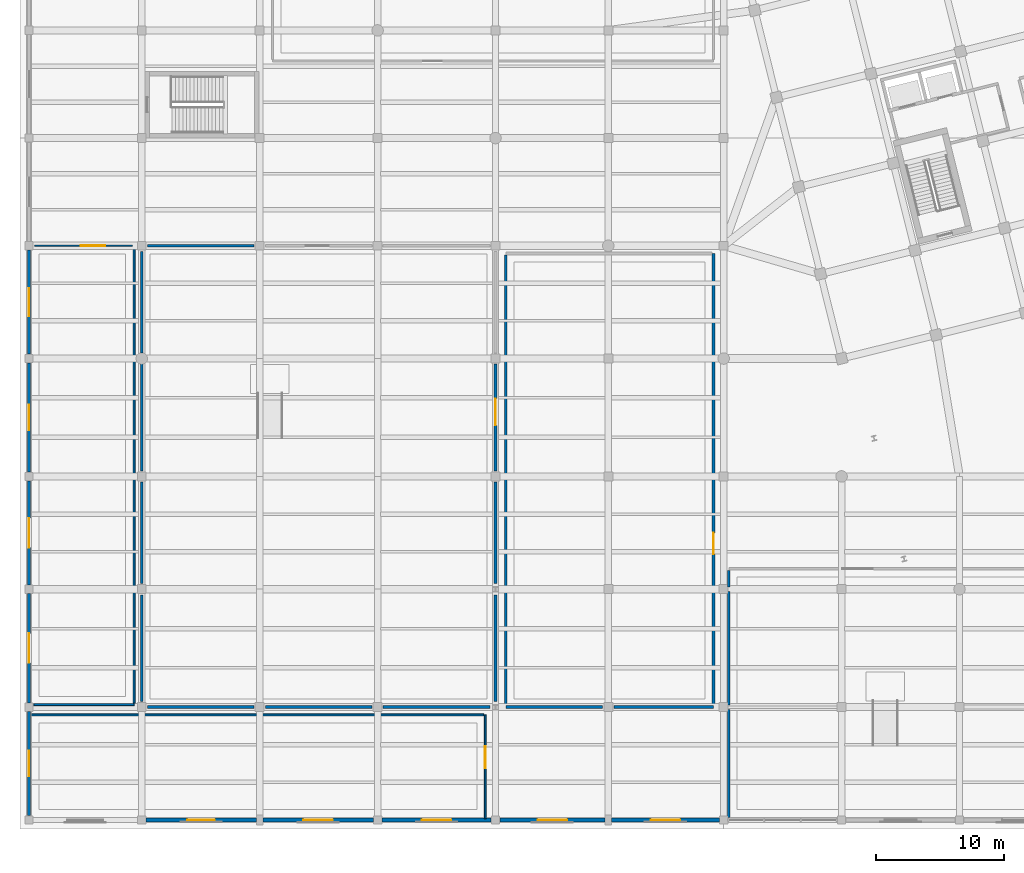
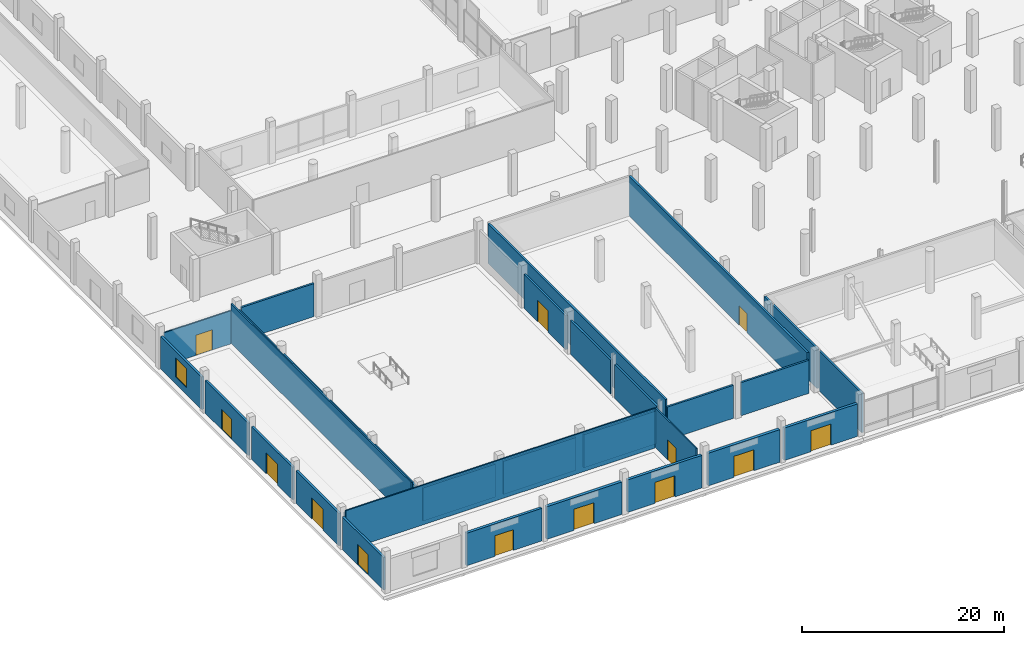
# One storey, part 57 of 73: 33 walls, 13 doors, 1 window, 14 openings.
"""IFC4 building model written with IfcOpenShell, lengths in metres."""

from ifc_helpers import new_model, si_unit, direction, frame, frame_2d, origin, place, context, subcontext, project, spatial, rectangle, extrude, material, layer, layer_set, type_object, element, fill, save


model = new_model("IFC4")

# Units and contexts
model_context = context("Model", 3, precision=1e-05, world=origin(), true_north=direction((0.0, 1.0)))
body_context = subcontext(model_context, "Body", "Model", "MODEL_VIEW")
ifc_project = project(units=[si_unit("LENGTHUNIT", "METRE"), si_unit("AREAUNIT", "SQUARE_METRE"), si_unit("VOLUMEUNIT", "CUBIC_METRE"), si_unit("PLANEANGLEUNIT", "RADIAN"), si_unit("MASSUNIT", "GRAM", prefix="KILO")], contexts=[model_context])

# Site, building, storey
site_placement = place(None, origin())
site = spatial("IfcSite", under=ifc_project, at=site_placement, CompositionType="ELEMENT")
building_placement = place(site_placement, origin())
building = spatial("IfcBuilding", under=site, at=building_placement, Name="Meriwether Solvik Hall", CompositionType="ELEMENT")
storey_placement = place(building_placement, origin())
storey = spatial("IfcBuildingStorey", under=building, at=storey_placement, Name="L00", CompositionType="ELEMENT", Elevation=0.0)

# Walls
ifc_material_1 = material(Name="Acoustic Mineral-Wool Double Gypsum Board", Category="gypsum")
ifc_layer_1 = layer(ifc_material_1, 0.219970703125)
ifc_layer_set_1 = layer_set([ifc_layer_1], Name="Acoustic Mineral-Wool Double Gypsum Board")
wall_type_1 = type_object("IfcWallType", Name="WALL-ACST-220", PredefinedType="PARTITIONING", material=ifc_layer_set_1)
for number, where, z_axis, x_axis, name in (
    (1, (14.43994140625, 14.0, 0.0), (0.0, 0.0, 1.0), (1.0, 0.0, 0.0), "L00 Interior Partition sanctuary_s"),
    (2, (23.639892578125, 14.0, 0.0), (0.0, 0.0, 1.0), (1.0, 0.0, 0.0), "L00 Interior Partition sanctuary_s_s2"),
):
    element("IfcWall", number, at=place(storey_placement, frame(where, z_axis=z_axis, x_axis=x_axis)), inside=storey, type_object=wall_type_1, Name=name, PredefinedType="PARTITIONING", context=body_context, shape_type="SweptSolid", body=[
        extrude(rectangle(XDim=8.320068359375, YDim=0.219970703125, at=frame_2d((4.16015625, 0.0))), origin(), (0.0, 0.0, 1.0), 4.0),
    ])
wall_1_placement = place(storey_placement, frame((32.840087890625, 14.0, 0.0), z_axis=(0.0, 0.0, 1.0), x_axis=(1.0, 0.0, 0.0)))
element("IfcWall", 3, at=wall_1_placement, inside=storey, type_object=wall_type_1, Name="L00 Interior Partition sanctuary_s_s3", PredefinedType="PARTITIONING", context=body_context, shape_type="SweptSolid", body=[
    extrude(rectangle(XDim=8.31982421875, YDim=0.219970703125, at=frame_2d((4.159912109375, 0.0))), origin(), (0.0, 0.0, 1.0), 4.0),
])

# Wall, opening, door
wall_2_placement = place(storey_placement, frame((41.60009765625, 40.760009765625, 0.0), z_axis=(0.0, 0.0, 1.0), x_axis=(0.0, -1.0, 0.0)))
wall_2 = element("IfcWall", 4, at=wall_2_placement, inside=storey, type_object=wall_type_1, Name="L00 Interior Partition sanctuary_e_s2", PredefinedType="PARTITIONING", context=body_context, shape_type="SweptSolid", body=[
    extrude(rectangle(XDim=8.320068359375, YDim=0.219970703125, at=frame_2d((4.16015625, 0.0))), origin(), (0.0, 0.0, 1.0), 4.10009765625),
])
opening_1_placement = place(wall_2_placement, frame((2.6806640625, 0.0, 0.0)))
opening_1 = element("IfcOpeningElement", 5, at=opening_1_placement, cuts=wall_2, Name="Opening D-127", PredefinedType="OPENING", context=body_context, shape_type="SweptSolid", body=[
    extrude(rectangle(XDim=2.10009765625, YDim=2.60009765625, at=frame_2d((1.050048828125, 1.300048828125))), frame((0.0, 0.1220703125, 0.0), z_axis=(0.0, -1.0, 0.0), x_axis=(1.0, 0.0, 0.0)), (0.0, 0.0, 1.0), 0.243896484375),
])
ifc_material_2 = material(Name="Solid-Core Rift White Oak Timber", Category="wood")
door_type_1 = type_object("IfcDoorType", Name="DR-SANC-2100", OperationType="DOUBLE_DOOR_SINGLE_SWING", PredefinedType="DOOR", material=ifc_material_2)
door_1_placement = place(opening_1_placement, origin())
door_1 = element("IfcDoor", 6, at=door_1_placement, inside=storey, type_object=door_type_1, Name="Sanctuary Door", OperationType="DOUBLE_DOOR_SINGLE_SWING", OverallHeight=2.60009765625, OverallWidth=2.10009765625, PredefinedType="DOOR", context=body_context, shape_type="SweptSolid", body=[
    extrude(rectangle(XDim=2.10009765625, YDim=2.60009765625, at=frame_2d((1.050048828125, 1.300048828125))), frame((0.0, 0.02490234375, 0.0), z_axis=(0.0, -1.0, 0.0), x_axis=(1.0, 0.0, 0.0)), (0.0, 0.0, 1.0), 0.050048828125),
])
fill(opening_1, door_1)

# Walls
wall_3_placement = place(storey_placement, frame((41.60009765625, 31.56005859375, 0.0), z_axis=(0.0, 0.0, 1.0), x_axis=(0.0, -1.0, 0.0)))
element("IfcWall", 7, at=wall_3_placement, inside=storey, type_object=wall_type_1, Name="L00 Interior Partition sanctuary_e_s3", PredefinedType="PARTITIONING", context=body_context, shape_type="SweptSolid", body=[
    extrude(rectangle(XDim=7.920166015625, YDim=0.219970703125, at=frame_2d((3.9599609375, 0.0))), origin(), (0.0, 0.0, 1.0), 4.10009765625),
])
wall_4_placement = place(storey_placement, frame((41.60009765625, 22.760009765625, 0.0), z_axis=(0.0, 0.0, 1.0), x_axis=(0.0, -1.0, 0.0)))
element("IfcWall", 8, at=wall_4_placement, inside=storey, type_object=wall_type_1, Name="L00 Interior Partition sanctuary_e_s4", PredefinedType="PARTITIONING", context=body_context, shape_type="SweptSolid", body=[
    extrude(rectangle(XDim=8.320068359375, YDim=0.219970703125, at=frame_2d((4.16015625, 0.0))), origin(), (0.0, 0.0, 1.0), 4.10009765625),
])
wall_5_placement = place(storey_placement, frame((14.43994140625, 50.0, 0.0), z_axis=(0.0, 0.0, 1.0), x_axis=(1.0, 0.0, 0.0)))
element("IfcWall", 9, at=wall_5_placement, inside=storey, type_object=wall_type_1, Name="L00 Interior Partition sanctuary_n", PredefinedType="PARTITIONING", context=body_context, shape_type="SweptSolid", body=[
    extrude(rectangle(XDim=8.320068359375, YDim=0.219970703125, at=frame_2d((4.16015625, 0.0))), origin(), (0.0, 0.0, 1.0), 4.0),
])
wall_6_placement = place(storey_placement, frame((14.0, 49.56005859375, 0.0), z_axis=(0.0, 0.0, 1.0), x_axis=(0.0, -1.0, 0.0)))
element("IfcWall", 10, at=wall_6_placement, inside=storey, type_object=wall_type_1, Name="L00 Interior Partition sanctuary_w", PredefinedType="PARTITIONING", context=body_context, shape_type="SweptSolid", body=[
    extrude(rectangle(XDim=7.920166015625, YDim=0.219970703125, at=frame_2d((3.9599609375, 0.0))), origin(), (0.0, 0.0, 1.0), 4.10009765625),
])
wall_7_placement = place(storey_placement, frame((14.0, 40.760009765625, 0.0), z_axis=(0.0, 0.0, 1.0), x_axis=(0.0, -1.0, 0.0)))
element("IfcWall", 11, at=wall_7_placement, inside=storey, type_object=wall_type_1, Name="L00 Interior Partition sanctuary_w_s2", PredefinedType="PARTITIONING", context=body_context, shape_type="SweptSolid", body=[
    extrude(rectangle(XDim=8.320068359375, YDim=0.219970703125, at=frame_2d((4.16015625, 0.0))), origin(), (0.0, 0.0, 1.0), 4.10009765625),
])
wall_8_placement = place(storey_placement, frame((14.0, 31.56005859375, 0.0), z_axis=(0.0, 0.0, 1.0), x_axis=(0.0, -1.0, 0.0)))
element("IfcWall", 12, at=wall_8_placement, inside=storey, type_object=wall_type_1, Name="L00 Interior Partition sanctuary_w_s3", PredefinedType="PARTITIONING", context=body_context, shape_type="SweptSolid", body=[
    extrude(rectangle(XDim=7.920166015625, YDim=0.219970703125, at=frame_2d((3.9599609375, 0.0))), origin(), (0.0, 0.0, 1.0), 4.10009765625),
])
wall_9_placement = place(storey_placement, frame((14.0, 22.760009765625, 0.0), z_axis=(0.0, 0.0, 1.0), x_axis=(0.0, -1.0, 0.0)))
element("IfcWall", 13, at=wall_9_placement, inside=storey, type_object=wall_type_1, Name="L00 Interior Partition sanctuary_w_s4", PredefinedType="PARTITIONING", context=body_context, shape_type="SweptSolid", body=[
    extrude(rectangle(XDim=8.320068359375, YDim=0.219970703125, at=frame_2d((4.16015625, 0.0))), origin(), (0.0, 0.0, 1.0), 4.10009765625),
])
wall_10_placement = place(storey_placement, frame((42.39990234375, 14.0, 0.0), z_axis=(0.0, 0.0, 1.0), x_axis=(1.0, 0.0, 0.0)))
element("IfcWall", 14, at=wall_10_placement, inside=storey, type_object=wall_type_1, Name="L00 Interior Partition music_prac_s", PredefinedType="PARTITIONING", context=body_context, shape_type="SweptSolid", body=[
    extrude(rectangle(XDim=7.56005859375, YDim=0.219970703125, at=frame_2d((3.780029296875, 0.0))), origin(), (0.0, 0.0, 1.0), 4.0),
])
wall_11_placement = place(storey_placement, frame((50.840087890625, 14.0, 0.0), z_axis=(0.0, 0.0, 1.0), x_axis=(1.0, 0.0, 0.0)))
element("IfcWall", 15, at=wall_11_placement, inside=storey, type_object=wall_type_1, Name="L00 Interior Partition music_prac_s_s2", PredefinedType="PARTITIONING", context=body_context, shape_type="SweptSolid", body=[
    extrude(rectangle(XDim=7.760009765625, YDim=0.219970703125, at=frame_2d((3.8798828125, 0.0))), origin(), (0.0, 0.0, 1.0), 4.0),
])

# Wall, opening, door
wall_12_placement = place(storey_placement, frame((58.60009765625, 14.1201171875, 0.0), z_axis=(0.0, 0.0, 1.0), x_axis=(0.0, 1.0, 0.0)))
wall_12 = element("IfcWall", 16, at=wall_12_placement, inside=storey, type_object=wall_type_1, Name="L00 Interior Partition music_prac_e", PredefinedType="PARTITIONING", context=body_context, shape_type="SweptSolid", body=[
    extrude(rectangle(XDim=35.27978515625, YDim=0.219970703125, at=frame_2d((17.639892578125, 0.0))), origin(), (0.0, 0.0, 1.0), 4.800048828125),
])
opening_2_placement = place(wall_12_placement, frame((11.82470703125, 0.0, 0.0)))
opening_2 = element("IfcOpeningElement", 17, at=opening_2_placement, cuts=wall_12, Name="Opening D-137", PredefinedType="OPENING", context=body_context, shape_type="SweptSolid", body=[
    extrude(rectangle(XDim=1.64990234375, YDim=2.35009765625, at=frame_2d((0.824951171875, 1.175048828125))), frame((0.0, 0.1220703125, 0.0), z_axis=(0.0, -1.0, 0.0), x_axis=(1.0, 0.0, 0.0)), (0.0, 0.0, 1.0), 0.243896484375),
])
ifc_material_3 = material(Name="Laminated Vision Glass and Solid White Oak Timber", Category="wood")
door_type_2 = type_object("IfcDoorType", Name="DR-INT-1650", OperationType="DOUBLE_DOOR_SINGLE_SWING", PredefinedType="DOOR", material=ifc_material_3)
door_2_placement = place(opening_2_placement, origin())
door_2 = element("IfcDoor", 18, at=door_2_placement, inside=storey, type_object=door_type_2, Name="Community Music Practice Studio Door", OperationType="DOUBLE_DOOR_SINGLE_SWING", OverallHeight=2.35009765625, OverallWidth=1.64990234375, PredefinedType="DOOR", context=body_context, shape_type="SweptSolid", body=[
    extrude(rectangle(XDim=1.64990234375, YDim=2.35009765625, at=frame_2d((0.824951171875, 1.175048828125))), frame((0.0, 0.02490234375, 0.0), z_axis=(0.0, -1.0, 0.0), x_axis=(1.0, 0.0, 0.0)), (0.0, 0.0, 1.0), 0.050048828125),
])
fill(opening_2, door_2)

# Walls
wall_13_placement = place(storey_placement, frame((42.39990234375, 49.280029296875, 0.0), z_axis=(0.0, 0.0, 1.0), x_axis=(0.0, -1.0, 0.0)))
element("IfcWall", 19, at=wall_13_placement, inside=storey, type_object=wall_type_1, Name="L00 Interior Partition music_prac_w", PredefinedType="PARTITIONING", context=body_context, shape_type="SweptSolid", body=[
    extrude(rectangle(XDim=35.159912109375, YDim=0.219970703125, at=frame_2d((17.580078125, 0.0))), origin(), (0.0, 0.0, 1.0), 4.800048828125),
])
wall_14_placement = place(storey_placement, frame((59.800048828125, 24.679931640625, 0.0), z_axis=(0.0, 0.0, 1.0), x_axis=(0.0, -1.0, 0.0)))
element("IfcWall", 20, at=wall_14_placement, inside=storey, type_object=wall_type_1, Name="L00 Interior Partition main_hall_w", PredefinedType="PARTITIONING", context=body_context, shape_type="SweptSolid", body=[
    extrude(rectangle(XDim=1.29931640625, YDim=0.219970703125, at=frame_2d((0.649658203125, 0.0))), origin(), (0.0, 0.0, 1.0), 4.800048828125),
])
wall_15_placement = place(storey_placement, frame((59.800048828125, 23.01953125, 0.0), z_axis=(0.0, 0.0, 1.0), x_axis=(0.0, -1.0, 0.0)))
element("IfcWall", 21, at=wall_15_placement, inside=storey, type_object=wall_type_1, Name="L00 Interior Partition main_hall_w_s2", PredefinedType="PARTITIONING", context=body_context, shape_type="SweptSolid", body=[
    extrude(rectangle(XDim=8.8388671875, YDim=0.219970703125, at=frame_2d((4.41943359375, 0.0))), origin(), (0.0, 0.0, 1.0), 4.800048828125),
])
wall_16_placement = place(storey_placement, frame((59.800048828125, 13.8193359375, 0.0), z_axis=(0.0, 0.0, 1.0), x_axis=(0.0, -1.0, 0.0)))
element("IfcWall", 22, at=wall_16_placement, inside=storey, type_object=wall_type_1, Name="L00 Interior Partition main_hall_w_s3", PredefinedType="PARTITIONING", context=body_context, shape_type="SweptSolid", body=[
    extrude(rectangle(XDim=8.438720703125, YDim=0.219970703125, at=frame_2d((4.21923828125, 0.0))), origin(), (0.0, 0.0, 1.0), 4.800048828125),
])

# Wall, opening, door
ifc_material_4 = material(Name="Terracotta Cladding on Concrete C40/50", Category="masonry")
ifc_layer_2 = layer(ifc_material_4, 0.2548828125)
ifc_layer_set_2 = layer_set([ifc_layer_2], Name="Terracotta Cladding on Concrete C40/50")
wall_type_2 = type_object("IfcWallType", Name="WALL-EXT-255", PredefinedType="SOLIDWALL", material=ifc_layer_set_2)
wall_17_placement = place(storey_placement, frame((5.199951171875, 5.537109375, 0.0), z_axis=(0.0, 0.0, 1.0), x_axis=(0.0, 1.0, 0.0)))
wall_17 = element("IfcWall", 23, at=wall_17_placement, inside=storey, type_object=wall_type_2, Name="L00 W Wing Facade Wall Y1_1_36", PredefinedType="SOLIDWALL", context=body_context, shape_type="SweptSolid", body=[
    extrude(rectangle(XDim=8.1259765625, YDim=0.2548828125, at=frame_2d((4.06298828125, 0.0))), origin(), (0.0, 0.0, 1.0), 3.93994140625),
])
opening_3_placement = place(wall_17_placement, frame((3.06298828125, 0.0, 0.0)))
opening_3 = element("IfcOpeningElement", 24, at=opening_3_placement, cuts=wall_17, Name="Opening D-138", PredefinedType="OPENING", context=body_context, shape_type="SweptSolid", body=[
    extrude(rectangle(XDim=2.0, YDim=2.449951171875, at=frame_2d((1.0, 1.22509765625))), frame((0.0, 0.139404296875, 0.0), z_axis=(0.0, -1.0, 0.0), x_axis=(1.0, 0.0, 0.0)), (0.0, 0.0, 1.0), 0.27880859375),
])
ifc_material_5 = material(Name="Thermally Broken Anodised Aluminium and Laminated Glass", Category="aluminium")
door_type_3 = type_object("IfcDoorType", Name="DR-EXT-EXIT-2000", OperationType="DOUBLE_DOOR_SINGLE_SWING", PredefinedType="DOOR", material=ifc_material_5)
door_3_placement = place(opening_3_placement, origin())
door_3 = element("IfcDoor", 25, at=door_3_placement, inside=storey, type_object=door_type_3, Name="Sanctuary West Street Entrance", OperationType="DOUBLE_DOOR_SINGLE_SWING", OverallHeight=2.449951171875, OverallWidth=2.0, PredefinedType="DOOR", context=body_context, shape_type="SweptSolid", body=[
    extrude(rectangle(XDim=2.0, YDim=2.449951171875, at=frame_2d((1.0, 1.22509765625))), frame((0.0, 0.02490234375, 0.0), z_axis=(0.0, -1.0, 0.0), x_axis=(1.0, 0.0, 0.0)), (0.0, 0.0, 1.0), 0.050048828125),
])
fill(opening_3, door_3)

wall_18_placement = place(storey_placement, frame((5.199951171875, 14.3369140625, 0.0), z_axis=(0.0, 0.0, 1.0), x_axis=(0.0, 1.0, 0.0)))
wall_18 = element("IfcWall", 26, at=wall_18_placement, inside=storey, type_object=wall_type_2, Name="L00 W Wing Facade Wall Y1_2_37", PredefinedType="SOLIDWALL", context=body_context, shape_type="SweptSolid", body=[
    extrude(rectangle(XDim=8.526123046875, YDim=0.2548828125, at=frame_2d((4.26318359375, 0.0))), origin(), (0.0, 0.0, 1.0), 3.93994140625),
])
opening_4_placement = place(wall_18_placement, frame((3.113037109375, 0.0, 0.0)))
opening_4 = element("IfcOpeningElement", 27, at=opening_4_placement, cuts=wall_18, Name="Opening D-154", PredefinedType="OPENING", context=body_context, shape_type="SweptSolid", body=[
    extrude(rectangle(XDim=2.300048828125, YDim=2.550048828125, at=frame_2d((1.14990234375, 1.27490234375))), frame((0.0, 0.139404296875, 0.0), z_axis=(0.0, -1.0, 0.0), x_axis=(1.0, 0.0, 0.0)), (0.0, 0.0, 1.0), 0.27880859375),
])
ifc_material_6 = material(Name="Thermally Broken Anodised Aluminium and Laminated Glass", Category="aluminium")
door_type_4 = type_object("IfcDoorType", Name="DR-EXT-EXIT-2300", OperationType="DOUBLE_DOOR_SINGLE_SWING", PredefinedType="DOOR", material=ifc_material_6)
door_4_placement = place(opening_4_placement, origin())
door_4 = element("IfcDoor", 28, at=door_4_placement, inside=storey, type_object=door_type_4, Name="Interfaith Fellowship Lounge West Exit Door", OperationType="DOUBLE_DOOR_SINGLE_SWING", OverallHeight=2.550048828125, OverallWidth=2.300048828125, PredefinedType="DOOR", context=body_context, shape_type="SweptSolid", body=[
    extrude(rectangle(XDim=2.300048828125, YDim=2.550048828125, at=frame_2d((1.14990234375, 1.27490234375))), frame((0.0, 0.02490234375, 0.0), z_axis=(0.0, -1.0, 0.0), x_axis=(1.0, 0.0, 0.0)), (0.0, 0.0, 1.0), 0.050048828125),
])
fill(opening_4, door_4)

wall_19_placement = place(storey_placement, frame((5.199951171875, 23.537109375, 0.0), z_axis=(0.0, 0.0, 1.0), x_axis=(0.0, 1.0, 0.0)))
wall_19 = element("IfcWall", 29, at=wall_19_placement, inside=storey, type_object=wall_type_2, Name="L00 W Wing Facade Wall Y1_3_38", PredefinedType="SOLIDWALL", context=body_context, shape_type="SweptSolid", body=[
    extrude(rectangle(XDim=8.1259765625, YDim=0.2548828125, at=frame_2d((4.06298828125, 0.0))), origin(), (0.0, 0.0, 1.0), 3.93994140625),
])
opening_5_placement = place(wall_19_placement, frame((2.9130859375, 0.0, 0.0)))
opening_5 = element("IfcOpeningElement", 30, at=opening_5_placement, cuts=wall_19, Name="Opening D-154", PredefinedType="OPENING", context=body_context, shape_type="SweptSolid", body=[
    extrude(rectangle(XDim=2.300048828125, YDim=2.550048828125, at=frame_2d((1.14990234375, 1.27490234375))), frame((0.0, 0.139404296875, 0.0), z_axis=(0.0, -1.0, 0.0), x_axis=(1.0, 0.0, 0.0)), (0.0, 0.0, 1.0), 0.27880859375),
])
door_5_placement = place(opening_5_placement, origin())
door_5 = element("IfcDoor", 31, at=door_5_placement, inside=storey, type_object=door_type_4, Name="Interfaith Fellowship Lounge Secondary West Exit Door", OperationType="DOUBLE_DOOR_SINGLE_SWING", OverallHeight=2.550048828125, OverallWidth=2.300048828125, PredefinedType="DOOR", context=body_context, shape_type="SweptSolid", body=[
    extrude(rectangle(XDim=2.300048828125, YDim=2.550048828125, at=frame_2d((1.14990234375, 1.27490234375))), frame((0.0, 0.02490234375, 0.0), z_axis=(0.0, -1.0, 0.0), x_axis=(1.0, 0.0, 0.0)), (0.0, 0.0, 1.0), 0.050048828125),
])
fill(opening_5, door_5)

wall_20_placement = place(storey_placement, frame((5.199951171875, 32.3369140625, 0.0), z_axis=(0.0, 0.0, 1.0), x_axis=(0.0, 1.0, 0.0)))
wall_20 = element("IfcWall", 32, at=wall_20_placement, inside=storey, type_object=wall_type_2, Name="L00 W Wing Facade Wall Y1_4_39", PredefinedType="SOLIDWALL", context=body_context, shape_type="SweptSolid", body=[
    extrude(rectangle(XDim=8.526123046875, YDim=0.2548828125, at=frame_2d((4.26318359375, 0.0))), origin(), (0.0, 0.0, 1.0), 3.93994140625),
])
opening_6_placement = place(wall_20_placement, frame((3.262939453125, 0.0, 0.0)))
opening_6 = element("IfcOpeningElement", 33, at=opening_6_placement, cuts=wall_20, Name="Opening D-138", PredefinedType="OPENING", context=body_context, shape_type="SweptSolid", body=[
    extrude(rectangle(XDim=2.0, YDim=2.449951171875, at=frame_2d((1.0, 1.22509765625))), frame((0.0, 0.139404296875, 0.0), z_axis=(0.0, -1.0, 0.0), x_axis=(1.0, 0.0, 0.0)), (0.0, 0.0, 1.0), 0.27880859375),
])
door_6_placement = place(opening_6_placement, origin())
door_6 = element("IfcDoor", 34, at=door_6_placement, inside=storey, type_object=door_type_3, Name="Interfaith Lounge West Street Exit Door", OperationType="DOUBLE_DOOR_SINGLE_SWING", OverallHeight=2.449951171875, OverallWidth=2.0, PredefinedType="DOOR", context=body_context, shape_type="SweptSolid", body=[
    extrude(rectangle(XDim=2.0, YDim=2.449951171875, at=frame_2d((1.0, 1.22509765625))), frame((0.0, 0.02490234375, 0.0), z_axis=(0.0, -1.0, 0.0), x_axis=(1.0, 0.0, 0.0)), (0.0, 0.0, 1.0), 0.050048828125),
])
fill(opening_6, door_6)

# Wall, opening, window
wall_21_placement = place(storey_placement, frame((5.199951171875, 41.537109375, 0.0), z_axis=(0.0, 0.0, 1.0), x_axis=(0.0, 1.0, 0.0)))
wall_21 = element("IfcWall", 35, at=wall_21_placement, inside=storey, type_object=wall_type_2, Name="L00 W Wing Facade Wall Y1_5_40", PredefinedType="SOLIDWALL", context=body_context, shape_type="SweptSolid", body=[
    extrude(rectangle(XDim=8.1259765625, YDim=0.2548828125, at=frame_2d((4.06298828125, 0.0))), origin(), (0.0, 0.0, 1.0), 3.93994140625),
])
opening_7_placement = place(wall_21_placement, frame((2.962890625, 0.0, 0.85009765625)))
opening_7 = element("IfcOpeningElement", 36, at=opening_7_placement, cuts=wall_21, Name="Opening WN-175", PredefinedType="OPENING", context=body_context, shape_type="SweptSolid", body=[
    extrude(rectangle(XDim=2.199951171875, YDim=2.300048828125, at=frame_2d((1.10009765625, 1.14990234375))), frame((0.0, 0.139404296875, 0.0), z_axis=(0.0, -1.0, 0.0), x_axis=(1.0, 0.0, 0.0)), (0.0, 0.0, 1.0), 0.27880859375),
])
ifc_material_7 = material(Name="Thermally Broken Anodised Aluminium and Triple Low-E Glass", Category="aluminium")
window_type = type_object("IfcWindowType", Name="WIN-POD-WEST-220X230", PartitioningType="SINGLE_PANEL", PredefinedType="WINDOW", material=ifc_material_7)
window_placement = place(opening_7_placement, origin())
window = element("IfcWindow", 37, at=window_placement, inside=storey, type_object=window_type, Name="L00 W Window Y1_5_40", OverallHeight=2.300048828125, OverallWidth=2.199951171875, PartitioningType="SINGLE_PANEL", PredefinedType="WINDOW", context=body_context, shape_type="SweptSolid", body=[
    extrude(rectangle(XDim=2.199951171875, YDim=2.300048828125, at=frame_2d((1.10009765625, 1.14990234375))), frame((0.0, 0.030029296875, 0.0), z_axis=(0.0, -1.0, 0.0), x_axis=(1.0, 0.0, 0.0)), (0.0, 0.0, 1.0), 0.06005859375),
])
fill(opening_7, window)

# Wall, opening, door
ifc_material_8 = material(Name="Concrete C40/50 Precast", Category="concrete")
ifc_layer_3 = layer(ifc_material_8, 0.31494140625)
ifc_layer_set_3 = layer_set([ifc_layer_3], Name="Concrete C40/50 Precast")
wall_type_3 = type_object("IfcWallType", Name="WALL-EXT-315", PredefinedType="SOLIDWALL", material=ifc_layer_set_3)
wall_22_placement = place(storey_placement, frame((22.93798828125, 5.199951171875, 0.0), z_axis=(0.0, 0.0, 1.0), x_axis=(-1.0, 0.0, 0.0)))
wall_22 = element("IfcWall", 38, at=wall_22_placement, inside=storey, type_object=wall_type_3, Name="L00 S Wing Facade Wall XA_2_1", PredefinedType="SOLIDWALL", context=body_context, shape_type="SweptSolid", body=[
    extrude(rectangle(XDim=8.60107421875, YDim=0.31494140625, at=frame_2d((4.300537109375, 0.0))), origin(), (0.0, 0.0, 1.0), 3.93994140625),
])
opening_8_placement = place(wall_22_placement, frame((3.2255859375, 0.0, 0.0)))
opening_8 = element("IfcOpeningElement", 39, at=opening_8_placement, cuts=wall_22, Name="Opening D-136", PredefinedType="OPENING", context=body_context, shape_type="SweptSolid", body=[
    extrude(rectangle(XDim=2.14990234375, YDim=2.5, at=frame_2d((1.074951171875, 1.25))), frame((0.0, 0.16943359375, 0.0), z_axis=(0.0, -1.0, 0.0), x_axis=(1.0, 0.0, 0.0)), (0.0, 0.0, 1.0), 0.3388671875),
])
ifc_material_9 = material(Name="Thermally Broken Anodised Aluminium and Laminated Glass", Category="aluminium")
door_type_5 = type_object("IfcDoorType", Name="DR-EXT-EXIT-2150", OperationType="DOUBLE_DOOR_SINGLE_SWING", PredefinedType="DOOR", material=ifc_material_9)
door_7_placement = place(opening_8_placement, origin())
door_7 = element("IfcDoor", 40, at=door_7_placement, inside=storey, type_object=door_type_5, Name="Sanctuary South Narthex Exit Door", OperationType="DOUBLE_DOOR_SINGLE_SWING", OverallHeight=2.5, OverallWidth=2.14990234375, PredefinedType="DOOR", context=body_context, shape_type="SweptSolid", body=[
    extrude(rectangle(XDim=2.14990234375, YDim=2.5, at=frame_2d((1.074951171875, 1.25))), frame((0.0, 0.02490234375, 0.0), z_axis=(0.0, -1.0, 0.0), x_axis=(1.0, 0.0, 0.0)), (0.0, 0.0, 1.0), 0.050048828125),
])
fill(opening_8, door_7)

wall_23_placement = place(storey_placement, frame((41.262939453125, 5.199951171875, 0.0), z_axis=(0.0, 0.0, 1.0), x_axis=(-1.0, 0.0, 0.0)))
wall_23 = element("IfcWall", 41, at=wall_23_placement, inside=storey, type_object=wall_type_3, Name="L00 S Wing Facade Wall XA_4_3", PredefinedType="SOLIDWALL", context=body_context, shape_type="SweptSolid", body=[
    extrude(rectangle(XDim=8.52587890625, YDim=0.31494140625, at=frame_2d((4.262939453125, 0.0))), origin(), (0.0, 0.0, 1.0), 3.93994140625),
])
opening_9_placement = place(wall_23_placement, frame((3.113037109375, 0.0, 0.0)))
opening_9 = element("IfcOpeningElement", 42, at=opening_9_placement, cuts=wall_23, Name="Opening D-154", PredefinedType="OPENING", context=body_context, shape_type="SweptSolid", body=[
    extrude(rectangle(XDim=2.300048828125, YDim=2.550048828125, at=frame_2d((1.14990234375, 1.27490234375))), frame((0.0, 0.16943359375, 0.0), z_axis=(0.0, -1.0, 0.0), x_axis=(1.0, 0.0, 0.0)), (0.0, 0.0, 1.0), 0.3388671875),
])
door_8_placement = place(opening_9_placement, origin())
door_8 = element("IfcDoor", 43, at=door_8_placement, inside=storey, type_object=door_type_4, Name="Sanctuary South Narthex East Exit Door", OperationType="DOUBLE_DOOR_SINGLE_SWING", OverallHeight=2.550048828125, OverallWidth=2.300048828125, PredefinedType="DOOR", context=body_context, shape_type="SweptSolid", body=[
    extrude(rectangle(XDim=2.300048828125, YDim=2.550048828125, at=frame_2d((1.14990234375, 1.27490234375))), frame((0.0, 0.02490234375, 0.0), z_axis=(0.0, -1.0, 0.0), x_axis=(1.0, 0.0, 0.0)), (0.0, 0.0, 1.0), 0.050048828125),
])
fill(opening_9, door_8)

wall_24_placement = place(storey_placement, frame((59.06298828125, 5.199951171875, 0.0), z_axis=(0.0, 0.0, 1.0), x_axis=(-1.0, 0.0, 0.0)))
wall_24 = element("IfcWall", 44, at=wall_24_placement, inside=storey, type_object=wall_type_3, Name="L00 S Wing Facade Wall XA_6_5", PredefinedType="SOLIDWALL", context=body_context, shape_type="SweptSolid", body=[
    extrude(rectangle(XDim=8.40087890625, YDim=0.31494140625, at=frame_2d((4.200439453125, 0.0))), origin(), (0.0, 0.0, 1.0), 3.93994140625),
])
opening_10_placement = place(wall_24_placement, frame((3.050537109375, 0.0, 0.0)))
opening_10 = element("IfcOpeningElement", 45, at=opening_10_placement, cuts=wall_24, Name="Opening D-154", PredefinedType="OPENING", context=body_context, shape_type="SweptSolid", body=[
    extrude(rectangle(XDim=2.300048828125, YDim=2.550048828125, at=frame_2d((1.14990234375, 1.27490234375))), frame((0.0, 0.16943359375, 0.0), z_axis=(0.0, -1.0, 0.0), x_axis=(1.0, 0.0, 0.0)), (0.0, 0.0, 1.0), 0.3388671875),
])
door_9_placement = place(opening_10_placement, origin())
door_9 = element("IfcDoor", 46, at=door_9_placement, inside=storey, type_object=door_type_4, Name="West Concourse South Street Exit Door", OperationType="DOUBLE_DOOR_SINGLE_SWING", OverallHeight=2.550048828125, OverallWidth=2.300048828125, PredefinedType="DOOR", context=body_context, shape_type="SweptSolid", body=[
    extrude(rectangle(XDim=2.300048828125, YDim=2.550048828125, at=frame_2d((1.14990234375, 1.27490234375))), frame((0.0, 0.02490234375, 0.0), z_axis=(0.0, -1.0, 0.0), x_axis=(1.0, 0.0, 0.0)), (0.0, 0.0, 1.0), 0.050048828125),
])
fill(opening_10, door_9)

ifc_material_10 = material(Name="Concrete C40/50 Precast", Category="concrete")
ifc_layer_4 = layer(ifc_material_10, 0.340087890625)
ifc_layer_set_4 = layer_set([ifc_layer_4], Name="Concrete C40/50 Precast")
wall_type_4 = type_object("IfcWallType", Name="WALL-EXT-340", PredefinedType="SOLIDWALL", material=ifc_layer_set_4)
wall_25_placement = place(storey_placement, frame((32.06298828125, 5.199951171875, 0.0), z_axis=(0.0, 0.0, 1.0), x_axis=(-1.0, 0.0, 0.0)))
wall_25 = element("IfcWall", 47, at=wall_25_placement, inside=storey, type_object=wall_type_4, Name="L00 S Wing Facade Wall XA_3_2", PredefinedType="SOLIDWALL", context=body_context, shape_type="SweptSolid", body=[
    extrude(rectangle(XDim=8.60107421875, YDim=0.340087890625, at=frame_2d((4.300537109375, 0.0))), origin(), (0.0, 0.0, 1.0), 3.93994140625),
])
opening_11_placement = place(wall_25_placement, frame((3.150390625, 0.0, 0.0)))
opening_11 = element("IfcOpeningElement", 48, at=opening_11_placement, cuts=wall_25, Name="Opening D-154", PredefinedType="OPENING", context=body_context, shape_type="SweptSolid", body=[
    extrude(rectangle(XDim=2.300048828125, YDim=2.550048828125, at=frame_2d((1.14990234375, 1.27490234375))), frame((0.0, 0.18212890625, 0.0), z_axis=(0.0, -1.0, 0.0), x_axis=(1.0, 0.0, 0.0)), (0.0, 0.0, 1.0), 0.364013671875),
])
door_10_placement = place(opening_11_placement, origin())
door_10 = element("IfcDoor", 49, at=door_10_placement, inside=storey, type_object=door_type_4, Name="Sanctuary South Narthex Secondary Exit Door", OperationType="DOUBLE_DOOR_SINGLE_SWING", OverallHeight=2.550048828125, OverallWidth=2.300048828125, PredefinedType="DOOR", context=body_context, shape_type="SweptSolid", body=[
    extrude(rectangle(XDim=2.300048828125, YDim=2.550048828125, at=frame_2d((1.14990234375, 1.27490234375))), frame((0.0, 0.02490234375, 0.0), z_axis=(0.0, -1.0, 0.0), x_axis=(1.0, 0.0, 0.0)), (0.0, 0.0, 1.0), 0.050048828125),
])
fill(opening_11, door_10)

wall_26_placement = place(storey_placement, frame((50.137939453125, 5.199951171875, 0.0), z_axis=(0.0, 0.0, 1.0), x_axis=(-1.0, 0.0, 0.0)))
wall_26 = element("IfcWall", 50, at=wall_26_placement, inside=storey, type_object=wall_type_4, Name="L00 S Wing Facade Wall XA_5_4", PredefinedType="SOLIDWALL", context=body_context, shape_type="SweptSolid", body=[
    extrude(rectangle(XDim=8.200927734375, YDim=0.340087890625, at=frame_2d((4.1005859375, 0.0))), origin(), (0.0, 0.0, 1.0), 3.93994140625),
])
opening_12_placement = place(wall_26_placement, frame((2.950439453125, 0.0, 0.0)))
opening_12 = element("IfcOpeningElement", 51, at=opening_12_placement, cuts=wall_26, Name="Opening D-154", PredefinedType="OPENING", context=body_context, shape_type="SweptSolid", body=[
    extrude(rectangle(XDim=2.300048828125, YDim=2.550048828125, at=frame_2d((1.14990234375, 1.27490234375))), frame((0.0, 0.18212890625, 0.0), z_axis=(0.0, -1.0, 0.0), x_axis=(1.0, 0.0, 0.0)), (0.0, 0.0, 1.0), 0.364013671875),
])
door_11_placement = place(opening_12_placement, origin())
door_11 = element("IfcDoor", 52, at=door_11_placement, inside=storey, type_object=door_type_4, Name="Sanctuary East Street Exit Door", OperationType="DOUBLE_DOOR_SINGLE_SWING", OverallHeight=2.550048828125, OverallWidth=2.300048828125, PredefinedType="DOOR", context=body_context, shape_type="SweptSolid", body=[
    extrude(rectangle(XDim=2.300048828125, YDim=2.550048828125, at=frame_2d((1.14990234375, 1.27490234375))), frame((0.0, 0.02490234375, 0.0), z_axis=(0.0, -1.0, 0.0), x_axis=(1.0, 0.0, 0.0)), (0.0, 0.0, 1.0), 0.050048828125),
])
fill(opening_12, door_11)

ifc_material_11 = material(Name="Gypsum Board Partition", Category="gypsum")
ifc_layer_5 = layer(ifc_material_11, 0.14990234375)
ifc_layer_set_5 = layer_set([ifc_layer_5], Name="Gypsum Board Partition")
wall_type_5 = type_object("IfcWallType", Name="WALL-PART-150", PredefinedType="PARTITIONING", material=ifc_layer_set_5)
wall_27_placement = place(storey_placement, frame((40.800048828125, 13.39990234375, 0.0), z_axis=(0.0, 0.0, 1.0), x_axis=(0.0, -1.0, 0.0)))
wall_27 = element("IfcWall", 53, at=wall_27_placement, inside=storey, type_object=wall_type_5, Name="L00 Interior Partition sanc_vest_e", PredefinedType="PARTITIONING", context=body_context, shape_type="SweptSolid", body=[
    extrude(rectangle(XDim=8.099853515625, YDim=0.14990234375, at=frame_2d((4.0498046875, 0.0))), origin(), (0.0, 0.0, 1.0), 4.800048828125),
])
opening_13_placement = place(wall_27_placement, frame((2.4580078125, 0.0, 0.0)))
opening_13 = element("IfcOpeningElement", 54, at=opening_13_placement, cuts=wall_27, Name="Opening D-114", PredefinedType="OPENING", context=body_context, shape_type="SweptSolid", body=[
    extrude(rectangle(XDim=1.699951171875, YDim=2.39990234375, at=frame_2d((0.85009765625, 1.199951171875))), frame((0.0, 0.0869140625, 0.0), z_axis=(0.0, -1.0, 0.0), x_axis=(1.0, 0.0, 0.0)), (0.0, 0.0, 1.0), 0.173828125),
])
ifc_material_12 = material(Name="Laminated Vision Glass and Solid White Oak Timber", Category="wood")
door_type_6 = type_object("IfcDoorType", Name="DR-GAL-1700", OperationType="DOUBLE_DOOR_SINGLE_SWING", PredefinedType="DOOR", material=ifc_material_12)
door_12_placement = place(opening_13_placement, origin())
door_12 = element("IfcDoor", 55, at=door_12_placement, inside=storey, type_object=door_type_6, Name="Sanctuary South Narthex Lounge Door", OperationType="DOUBLE_DOOR_SINGLE_SWING", OverallHeight=2.39990234375, OverallWidth=1.699951171875, PredefinedType="DOOR", context=body_context, shape_type="SweptSolid", body=[
    extrude(rectangle(XDim=1.699951171875, YDim=2.39990234375, at=frame_2d((0.85009765625, 1.199951171875))), frame((0.0, 0.02490234375, 0.0), z_axis=(0.0, -1.0, 0.0), x_axis=(1.0, 0.0, 0.0)), (0.0, 0.0, 1.0), 0.050048828125),
])
fill(opening_13, door_12)

# Walls
wall_28_placement = place(storey_placement, frame((40.679931640625, 13.39990234375, 0.0), z_axis=(0.0, 0.0, 1.0), x_axis=(-1.0, 0.0, 0.0)))
element("IfcWall", 56, at=wall_28_placement, inside=storey, type_object=wall_type_5, Name="L00 Interior Partition sanc_vest_n", PredefinedType="PARTITIONING", context=body_context, shape_type="SweptSolid", body=[
    extrude(rectangle(XDim=35.3798828125, YDim=0.14990234375, at=frame_2d((17.68994140625, 0.0))), origin(), (0.0, 0.0, 1.0), 4.800048828125),
])
wall_29_placement = place(storey_placement, frame((5.589599609375, 14.199951171875, 0.0), z_axis=(0.0, 0.0, 1.0), x_axis=(1.0, 0.0, 0.0)))
element("IfcWall", 57, at=wall_29_placement, inside=storey, type_object=wall_type_5, Name="L00 Interior Partition interfaith_s", PredefinedType="PARTITIONING", context=body_context, shape_type="SweptSolid", body=[
    extrude(rectangle(XDim=7.810302734375, YDim=0.14990234375, at=frame_2d((3.9052734375, 0.0))), origin(), (0.0, 0.0, 1.0), 4.0),
])
wall_30_placement = place(storey_placement, frame((13.39990234375, 14.320068359375, 0.0), z_axis=(0.0, 0.0, 1.0), x_axis=(0.0, 1.0, 0.0)))
element("IfcWall", 58, at=wall_30_placement, inside=storey, type_object=wall_type_5, Name="L00 Interior Partition interfaith_e", PredefinedType="PARTITIONING", context=body_context, shape_type="SweptSolid", body=[
    extrude(rectangle(XDim=35.679931640625, YDim=0.14990234375, at=frame_2d((17.83984375, 0.0))), origin(), (0.0, 0.0, 1.0), 4.800048828125),
])

# Wall, opening, door
wall_31_placement = place(storey_placement, frame((13.280029296875, 50.0, 0.0), z_axis=(0.0, 0.0, 1.0), x_axis=(-1.0, 0.0, 0.0)))
wall_31 = element("IfcWall", 59, at=wall_31_placement, inside=storey, type_object=wall_type_5, Name="L00 Interior Partition interfaith_n", PredefinedType="PARTITIONING", context=body_context, shape_type="SweptSolid", body=[
    extrude(rectangle(XDim=7.64013671875, YDim=0.14990234375, at=frame_2d((3.820068359375, 0.0))), origin(), (0.0, 0.0, 1.0), 4.0),
])
opening_14_placement = place(wall_31_placement, frame((2.1298828125, 0.0, 0.0)))
opening_14 = element("IfcOpeningElement", 60, at=opening_14_placement, cuts=wall_31, Name="Opening D-156", PredefinedType="OPENING", context=body_context, shape_type="SweptSolid", body=[
    extrude(rectangle(XDim=1.89990234375, YDim=2.449951171875, at=frame_2d((0.949951171875, 1.22509765625))), frame((0.0, 0.0869140625, 0.0), z_axis=(0.0, -1.0, 0.0), x_axis=(1.0, 0.0, 0.0)), (0.0, 0.0, 1.0), 0.173828125),
])
ifc_material_13 = material(Name="Solid-Core Rift White Oak Timber", Category="wood")
door_type_7 = type_object("IfcDoorType", Name="DR-HALL-1900", OperationType="DOUBLE_DOOR_SINGLE_SWING", PredefinedType="DOOR", material=ifc_material_13)
door_13_placement = place(opening_14_placement, origin())
door_13 = element("IfcDoor", 61, at=door_13_placement, inside=storey, type_object=door_type_7, Name="Interfaith Fellowship Lounge Door", OperationType="DOUBLE_DOOR_SINGLE_SWING", OverallHeight=2.449951171875, OverallWidth=1.89990234375, PredefinedType="DOOR", context=body_context, shape_type="SweptSolid", body=[
    extrude(rectangle(XDim=1.89990234375, YDim=2.449951171875, at=frame_2d((0.949951171875, 1.22509765625))), frame((0.0, 0.02490234375, 0.0), z_axis=(0.0, -1.0, 0.0), x_axis=(1.0, 0.0, 0.0)), (0.0, 0.0, 1.0), 0.050048828125),
])
fill(opening_14, door_13)

save(model, "model.ifc")
